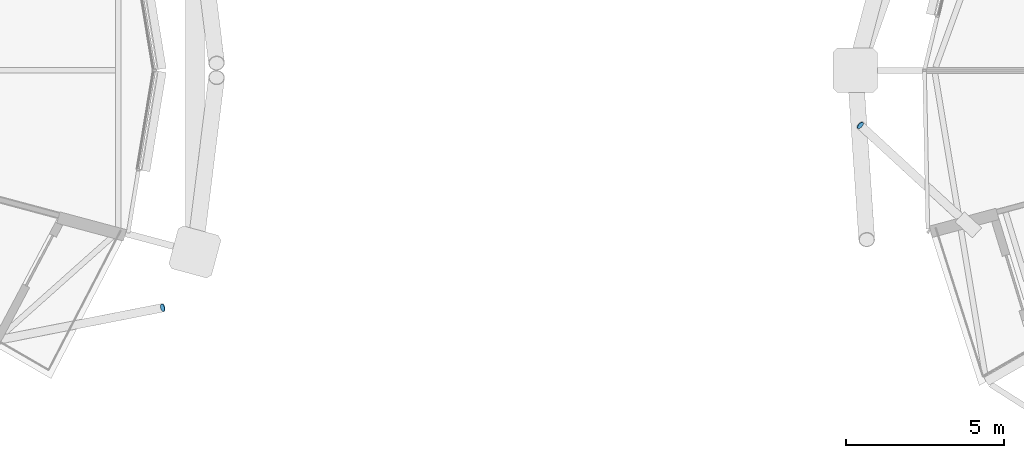
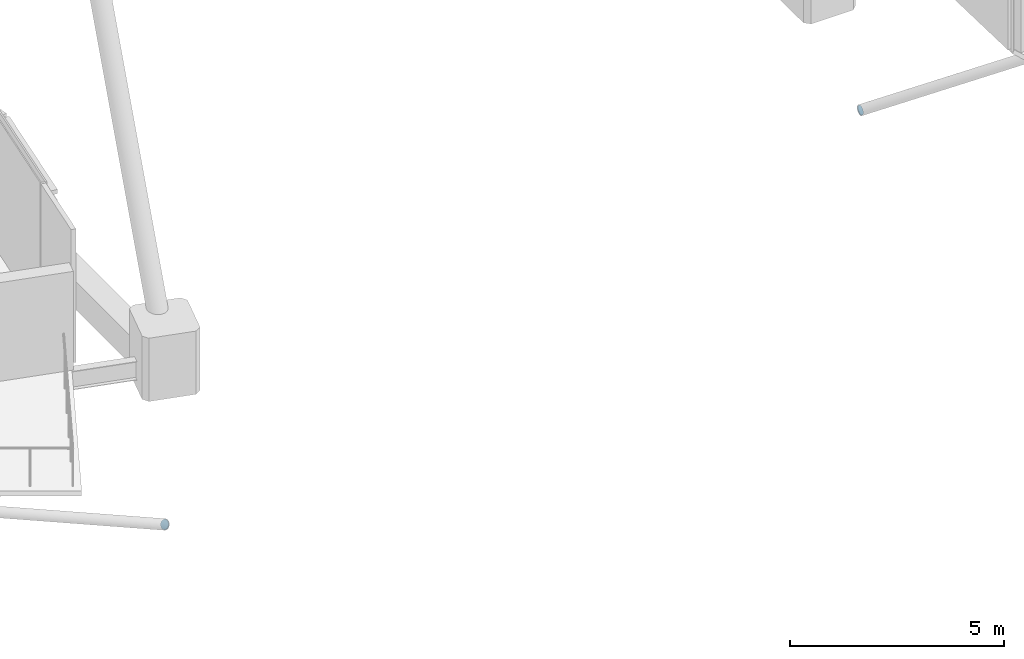
# One storey, part 25 of 31: 2 discrete accessories.
"""IFC4 building model written with IfcOpenShell, lengths in metres."""

from ifc_helpers import new_model, si_unit, direction, frame, origin, origin_2d, place, context, subcontext, project, spatial, circle, extrude, material, material_profile, profile_set, type_object, element, save


model = new_model("IFC4")

# Units and contexts
model_context = context("Model", 3, precision=1e-05, world=origin(), true_north=direction((0.0, 1.0)))
body_context = subcontext(model_context, "Body", "Model", "MODEL_VIEW")
ifc_project = project(units=[si_unit("LENGTHUNIT", "METRE"), si_unit("AREAUNIT", "SQUARE_METRE"), si_unit("VOLUMEUNIT", "CUBIC_METRE"), si_unit("PLANEANGLEUNIT", "RADIAN"), si_unit("MASSUNIT", "GRAM", prefix="KILO")], contexts=[model_context])

# Site, building, storey
site_placement = place(None, origin())
site = spatial("IfcSite", under=ifc_project, at=site_placement, CompositionType="ELEMENT")
building_placement = place(site_placement, origin())
building = spatial("IfcBuilding", under=site, at=building_placement, Name="Rimbun Link Towers", CompositionType="ELEMENT")
storey_placement = place(building_placement, frame((0.0, 0.0, 244.699951171875)))
storey = spatial("IfcBuildingStorey", under=building, at=storey_placement, Name="L60", CompositionType="ELEMENT", Elevation=244.699951171875)

# Discrete accessories
ifc_material = material(Name="Steel S355J2H", Category="steel")
ifc_material_profile = material_profile(ifc_material, circle(Radius=0.1240234375, at=origin_2d()), Name="PL D248")
ifc_profile_set = profile_set([ifc_material_profile], Name="Steel S355J2H")
discrete_accessory_type = type_object("IfcDiscreteAccessoryType", Name="Link foot sealing plate D248X20", PredefinedType="BRACKET", material=ifc_profile_set)
discrete_accessory_1_placement = place(storey_placement, frame((-11.341552734375, -7.507080078125, -3.546630859375), z_axis=(0.868635576813, 0.171280254583, -0.464903548153), x_axis=(-0.193458024533, 0.981108552987, 0.0)))
element("IfcDiscreteAccessory", 1, at=discrete_accessory_1_placement, inside=storey, type_object=discrete_accessory_type, Name="Link foot sealing plate T1 L60 22", PredefinedType="BRACKET", context=body_context, shape_type="SweptSolid", body=[
    extrude(circle(Radius=0.1240234375, at=origin_2d()), origin(), (0.0, 0.0, 1.0), 0.02001953125),
])
discrete_accessory_2_placement = place(storey_placement, frame((10.727783203125, -1.743408203125, -2.974609375), z_axis=(-0.654520536603, 0.592773316169, -0.4692788753), x_axis=(-0.671279432626, -0.741204373525, 0.0)))
element("IfcDiscreteAccessory", 2, at=discrete_accessory_2_placement, inside=storey, type_object=discrete_accessory_type, Name="Link foot sealing plate T2 L60 10", PredefinedType="BRACKET", context=body_context, shape_type="SweptSolid", body=[
    extrude(circle(Radius=0.1240234375, at=origin_2d()), origin(), (0.0, 0.0, 1.0), 0.019775390625),
])

save(model, "model.ifc")
